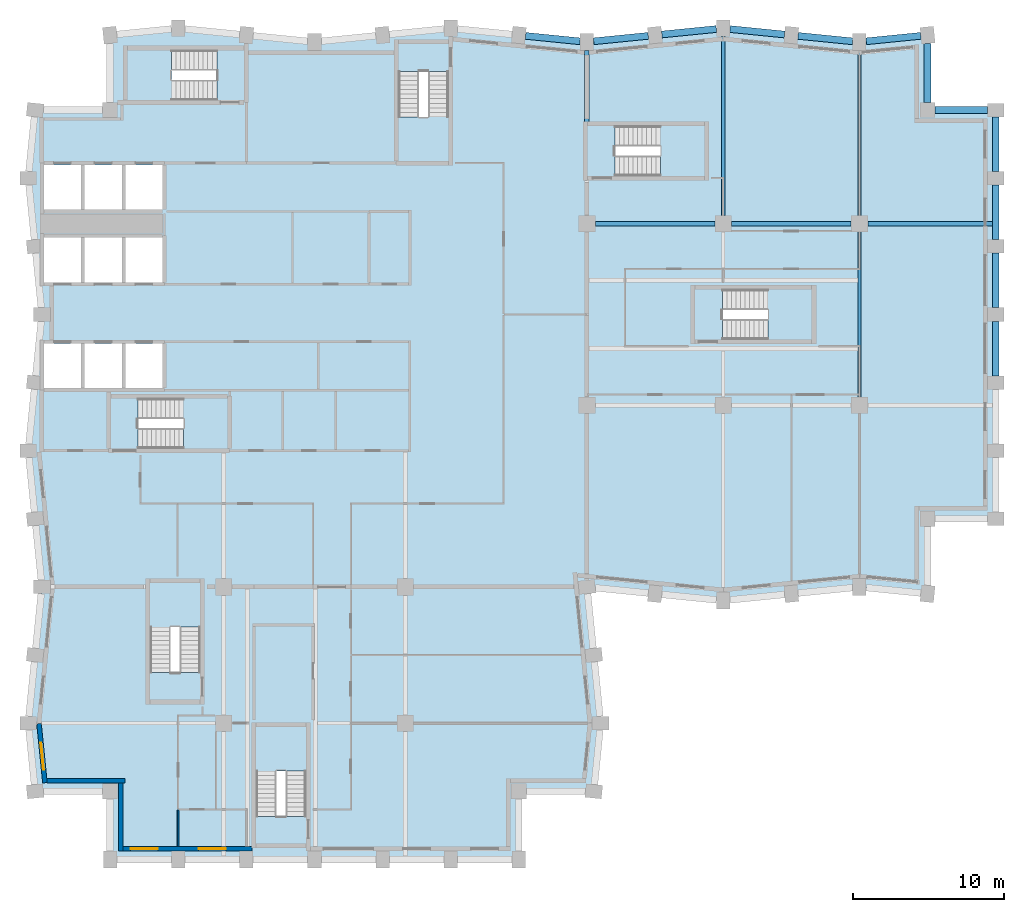
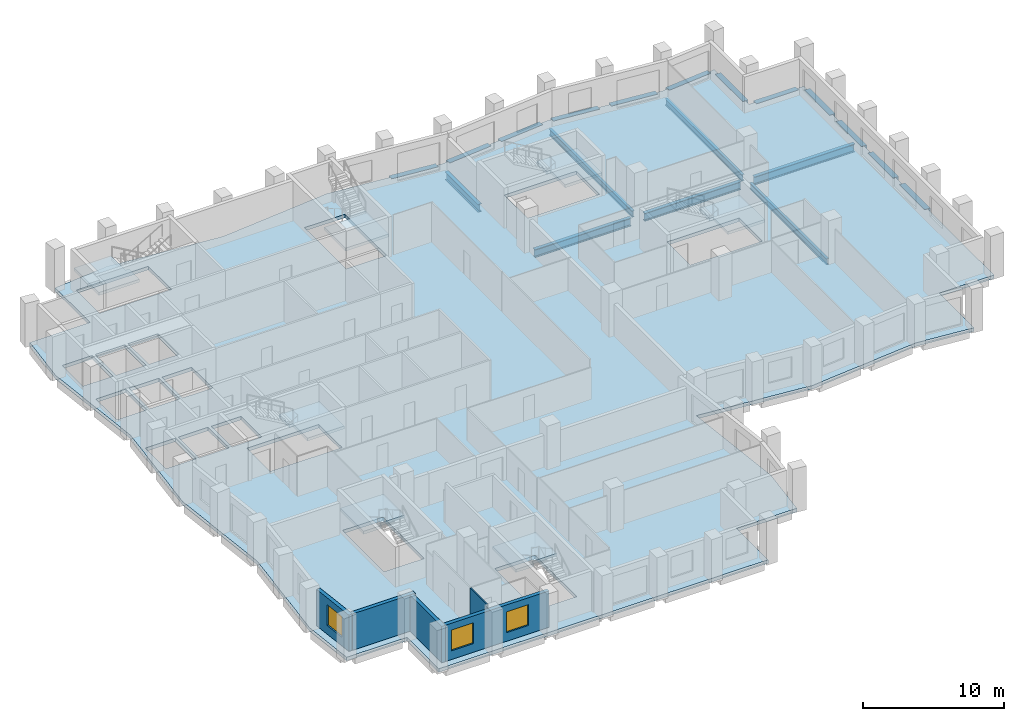
# One storey, part 2 of 10: 19 beams, 8 slabs, 5 walls, 3 windows, 3 openings, 7 elements without a shape of their own.
"""IFC4 building model written with IfcOpenShell, lengths in metres."""

import ifcopenshell
import ifcopenshell.guid

model = None  # the IFC model being written
_history = None  # IfcOwnerHistory: only IFC2X3 demands one
_inside = {}  # id of a spatial element -> (the spatial element, [elements in it])
_under = {}  # id of a project, library or spatial element -> (it, [spatial elements below it])
_declared = {}  # id of a project -> (the project, [libraries it declares])
_typed = {}  # id of a type object -> (the type object, [elements of that type])
_made_of = {}  # id of a material, layer set ... -> (it, [elements and type objects made of it])


def new_model(schema):
    """Start an empty IFC model of exactly this schema.

    Asked for "IFC4X3", IfcOpenShell would pick the latest addendum, in which some entities
    have other attributes; the version numbers below select the first issue.
    IFC2X3 requires an IfcOwnerHistory on every rooted entity: one is made here for all.
    """
    global model, _history
    if schema == "IFC4X3":
        model = ifcopenshell.file(schema_version=(4, 3, 0, 0))
    else:
        model = ifcopenshell.file(schema=schema)
    _inside.clear()
    _under.clear()
    _declared.clear()
    _typed.clear()
    _made_of.clear()
    _history = None
    if model.schema == "IFC2X3":
        org = make("IfcOrganization", Name="unknown")
        user = make(
            "IfcPersonAndOrganization",
            ThePerson=make("IfcPerson", FamilyName="unknown"),
            TheOrganization=org,
        )
        app = make(
            "IfcApplication",
            ApplicationDeveloper=org,
            Version="unknown",
            ApplicationFullName="unknown",
            ApplicationIdentifier="unknown",
        )
        _history = make(
            "IfcOwnerHistory",
            OwningUser=user,
            OwningApplication=app,
            ChangeAction="ADDED",
            CreationDate=0,
        )
    return model


def make(cls, **values):
    """One entity of the class cls with the attributes given. An attribute that is None is left unset."""
    return model.create_entity(
        cls, **{name: value for name, value in values.items() if value is not None}
    )


def rooted(cls, **values):
    """An entity with a GlobalId (a new one), such as an element, a storey or a relation."""
    return make(cls, GlobalId=ifcopenshell.guid.new(), OwnerHistory=_history, **values)


def si_unit(unit_type, name, prefix=None):
    """IfcSIUnit, for example si_unit("LENGTHUNIT", "METRE", prefix="MILLI")."""
    return make("IfcSIUnit", UnitType=unit_type, Prefix=prefix, Name=name)


def assignment(units):
    """IfcUnitAssignment: the units of a project."""
    return None if units is None else make("IfcUnitAssignment", Units=units)


def point(xyz):
    """IfcCartesianPoint."""
    return None if xyz is None else make("IfcCartesianPoint", Coordinates=xyz)


def direction(xyz):
    """IfcDirection."""
    return None if xyz is None else make("IfcDirection", DirectionRatios=xyz)


def frame(location, z_axis=None, x_axis=None):
    """IfcAxis2Placement3D, a coordinate frame: its origin and axes. An axis left out is left unset."""
    return make(
        "IfcAxis2Placement3D",
        Location=point(location),
        Axis=direction(z_axis),
        RefDirection=direction(x_axis),
    )


def frame_2d(location, x_axis=None):
    """IfcAxis2Placement2D, a coordinate frame in the plane: its origin and x axis."""
    return make(
        "IfcAxis2Placement2D", Location=point(location), RefDirection=direction(x_axis)
    )


def origin():
    """The frame at (0, 0, 0) with its axes left unset."""
    return frame((0.0, 0.0, 0.0))


def origin_2d():
    """The frame at (0, 0) in the plane with its x axis left unset."""
    return frame_2d((0.0, 0.0))


def place(relative_to, where):
    """IfcLocalPlacement: puts the frame where relative to a parent placement (None: the world)."""
    return make(
        "IfcLocalPlacement", PlacementRelTo=relative_to, RelativePlacement=where
    )


def context(
    kind, dimensions, precision=None, world=None, true_north=None, identifier=None
):
    """IfcGeometricRepresentationContext, for example the 3D "Model" context."""
    return make(
        "IfcGeometricRepresentationContext",
        ContextIdentifier=identifier,
        ContextType=kind,
        CoordinateSpaceDimension=dimensions,
        Precision=precision,
        WorldCoordinateSystem=world,
        TrueNorth=true_north,
    )


def subcontext(parent, identifier, kind, view, scale=None):
    """IfcGeometricRepresentationSubContext, for example "Body" below "Model"."""
    return make(
        "IfcGeometricRepresentationSubContext",
        ContextIdentifier=identifier,
        ContextType=kind,
        ParentContext=parent,
        TargetScale=scale,
        TargetView=view,
    )


def project(units=None, contexts=None):
    """IfcProject with its units and contexts."""
    return rooted(
        "IfcProject",
        Name="project",
        RepresentationContexts=contexts,
        UnitsInContext=assignment(units),
    )


def spatial(cls, under=None, at=None, **own):
    """A site, building, storey or space (cls), placed at a placement, below another one or the project."""
    s = rooted(cls, ObjectPlacement=at, **own)
    if under is not None:
        _under.setdefault(under.id(), (under, []))[1].append(s)
    return s


def polyline(points):
    """IfcPolyline through the points."""
    return make("IfcPolyline", Points=[point(p) for p in points])


def profile(cls, at=None, kind="AREA", **sizes):
    """A parametric profile (cls). Its sizes go by their IFC names, for example OverallWidth=200.0."""
    return make(cls, ProfileType=kind, Position=at, **sizes)


def rectangle(**sizes):
    """IfcRectangleProfileDef."""
    return profile("IfcRectangleProfileDef", **sizes)


def i_section(**sizes):
    """IfcIShapeProfileDef."""
    return profile("IfcIShapeProfileDef", **sizes)


def outline(outer, holes=None, kind="AREA"):
    """IfcArbitraryClosedProfileDef: a profile drawn as a closed curve; with holes, ...WithVoids."""
    if holes is None:
        return make("IfcArbitraryClosedProfileDef", ProfileType=kind, OuterCurve=outer)
    return make(
        "IfcArbitraryProfileDefWithVoids",
        ProfileType=kind,
        OuterCurve=outer,
        InnerCurves=holes,
    )


def extrude(swept, where, along, depth):
    """IfcExtrudedAreaSolid: the profile swept, set in the frame where, extruded along a direction by depth."""
    return make(
        "IfcExtrudedAreaSolid",
        SweptArea=swept,
        Position=where,
        ExtrudedDirection=direction(along),
        Depth=depth,
    )


def shape(context_of_items, identifier, shape_type, items):
    """IfcShapeRepresentation: the items that make up one representation, for example the "Body"."""
    return make(
        "IfcShapeRepresentation",
        ContextOfItems=context_of_items,
        RepresentationIdentifier=identifier,
        RepresentationType=shape_type,
        Items=items,
    )


def material(Name=None, Category=None):
    """IfcMaterial."""
    return make("IfcMaterial", Name=Name, Category=Category)


def layer(
    of_material, thickness, ventilated=None, Name=None, Category=None, Priority=None
):
    """IfcMaterialLayer: one layer of a wall or slab, of a material (None: an air gap)."""
    return make(
        "IfcMaterialLayer",
        Material=of_material,
        LayerThickness=thickness,
        IsVentilated=ventilated,
        Name=Name,
        Category=Category,
        Priority=Priority,
    )


def layer_set(layers, Name=None):
    """IfcMaterialLayerSet."""
    return make("IfcMaterialLayerSet", MaterialLayers=layers, LayerSetName=Name)


def material_profile(
    of_material, cross_section, Name=None, Category=None, Priority=None
):
    """IfcMaterialProfile: a cross section and its material."""
    return make(
        "IfcMaterialProfile",
        Name=Name,
        Material=of_material,
        Profile=cross_section,
        Priority=Priority,
        Category=Category,
    )


def profile_set(profiles, Name=None, composite=None):
    """IfcMaterialProfileSet."""
    return make(
        "IfcMaterialProfileSet",
        Name=Name,
        MaterialProfiles=profiles,
        CompositeProfile=composite,
    )


def made_of(thing, what):
    """Note that an element or type object is made of a material, layer set ...; save() writes the relation."""
    if what is not None:
        _made_of.setdefault(what.id(), (what, []))[1].append(thing)
    return thing


def type_object(cls, material=None, **own):
    """A type object (cls), such as IfcWallType, which elements share."""
    return made_of(rooted(cls, **own), material)


def element(
    cls,
    number,
    at=None,
    inside=None,
    cuts=None,
    type_object=None,
    material=None,
    context=None,
    identifier="Body",
    shape_type=None,
    held_by="IfcProductDefinitionShape",
    body=None,
    shapes=None,
    **own,
):
    """One element of the class cls, such as IfcWall. Its Tag is "e" and its number.

    at: its placement. inside: the storey or other place that contains it. cuts: it is an
    opening in that element (IfcRelVoidsElement). A single representation is given by context,
    identifier, shape_type and body (its items); several are given by shapes. held_by: the class
    of the entity that holds the representations. save() writes the other relations.
    """
    e = rooted(cls, Tag="e%d" % number, ObjectPlacement=at, **own)
    if body is not None:
        shapes = [shape(context, identifier, shape_type, body)]
    if shapes is not None:
        e.Representation = make(held_by, Representations=shapes)
    if inside is not None:
        _inside.setdefault(inside.id(), (inside, []))[1].append(e)
    if cuts is not None:
        rooted(
            "IfcRelVoidsElement", RelatingBuildingElement=cuts, RelatedOpeningElement=e
        )
    if type_object is not None:
        _typed.setdefault(type_object.id(), (type_object, []))[1].append(e)
    return made_of(e, material)


def fill(opening, filler):
    """IfcRelFillsElement: the door or window that sits in an opening."""
    return rooted(
        "IfcRelFillsElement",
        RelatingOpeningElement=opening,
        RelatedBuildingElement=filler,
    )


def aggregate(whole, parts):
    """IfcRelAggregates: a whole, such as a stair, and the parts it consists of."""
    return rooted("IfcRelAggregates", RelatingObject=whole, RelatedObjects=parts)


def save(model, path):
    """Write the relations noted so far, then the file.

    IfcRelAggregates (storeys below a building ...), IfcRelContainedInSpatialStructure (elements
    in a storey), IfcRelDefinesByType, IfcRelAssociatesMaterial and IfcRelDeclares: one each for
    every whole, place, type object, material and project.
    """
    for whole, parts in _under.values():
        aggregate(whole, parts)
    for where, things in _inside.values():
        rooted(
            "IfcRelContainedInSpatialStructure",
            RelatedElements=things,
            RelatingStructure=where,
        )
    for kind, things in _typed.values():
        rooted("IfcRelDefinesByType", RelatedObjects=things, RelatingType=kind)
    for what, things in _made_of.values():
        rooted("IfcRelAssociatesMaterial", RelatedObjects=things, RelatingMaterial=what)
    for by, libraries in _declared.values():
        rooted("IfcRelDeclares", RelatingContext=by, RelatedDefinitions=libraries)
    model.write(path)


model = new_model("IFC4")

# Units and contexts
model_context = context("Model", 3, precision=1e-05, world=origin(), true_north=direction((0.0, 1.0)))
body_context = subcontext(model_context, "Body", "Model", "MODEL_VIEW")
ifc_project = project(units=[si_unit("LENGTHUNIT", "METRE"), si_unit("AREAUNIT", "SQUARE_METRE"), si_unit("VOLUMEUNIT", "CUBIC_METRE"), si_unit("PLANEANGLEUNIT", "RADIAN"), si_unit("MASSUNIT", "GRAM", prefix="KILO")], contexts=[model_context])

# Site, building, storey
site_placement = place(None, origin())
site = spatial("IfcSite", under=ifc_project, at=site_placement, CompositionType="ELEMENT")
building_placement = place(site_placement, origin())
building = spatial("IfcBuilding", under=site, at=building_placement, Name="Brondeck Convention Tower", CompositionType="ELEMENT")
storey_placement = place(building_placement, frame((0.0, 0.0, 154.800048828125)))
storey = spatial("IfcBuildingStorey", under=building, at=storey_placement, Name="L37", CompositionType="ELEMENT", Elevation=154.800048828125)

# Beams
ifc_material_1 = material(Name="Steel S355", Category="steel")
ifc_material_profile_1 = material_profile(ifc_material_1, i_section(OverallWidth=0.2099609375, OverallDepth=0.550048828125, WebThickness=0.010986328125, FlangeThickness=0.01708984375, FilletRadius=0.02392578125, at=origin_2d()), Name="IPE 550")
ifc_profile_set_1 = profile_set([ifc_material_profile_1], Name="Steel S355")
beam_type_1 = type_object("IfcBeamType", Name="Floor beam IPE 550", PredefinedType="BEAM", material=ifc_profile_set_1)
beam_1_placement = place(storey_placement, frame((45.0, 51.550048828125, -0.574951171875), z_axis=(0.0, 1.0, 0.0), x_axis=(-1.0, 0.0, 0.0)))
element("IfcBeam", 1, at=beam_1_placement, inside=storey, type_object=beam_type_1, Name="STR-FB-L37-002", PredefinedType="BEAM", context=body_context, shape_type="SweptSolid", body=[
    extrude(i_section(OverallWidth=0.2099609375, OverallDepth=0.550048828125, WebThickness=0.010986328125, FlangeThickness=0.01708984375, FilletRadius=0.02392578125, at=origin_2d()), origin(), (0.0, 0.0, 1.0), 11.800048828125),
])
for number, where, z_axis, x_axis, name in (
    (2, (54.0, 39.550048828125, -0.574951171875), (0.0, 1.0, 0.0), (-1.0, 0.0, 0.0), "STR-FB-L37-004"),
    (3, (54.0, 51.550048828125, -0.574951171875), (0.0, 1.0, 0.0), (-1.0, 0.0, 0.0), "STR-FB-L37-005"),
):
    element("IfcBeam", number, at=place(storey_placement, frame(where, z_axis=z_axis, x_axis=x_axis)), inside=storey, type_object=beam_type_1, Name=name, PredefinedType="BEAM", context=body_context, shape_type="SweptSolid", body=[
        extrude(i_section(OverallWidth=0.2099609375, OverallDepth=0.550048828125, WebThickness=0.010986328125, FlangeThickness=0.01708984375, FilletRadius=0.02392578125, at=origin_2d()), origin(), (0.0, 0.0, 1.0), 10.89990234375),
    ])
ifc_material_profile_2 = material_profile(ifc_material_1, i_section(OverallWidth=0.300048828125, OverallDepth=0.699951171875, WebThickness=0.01708984375, FlangeThickness=0.031982421875, FilletRadius=0.027099609375, at=origin_2d()), Name="HEB 700")
ifc_profile_set_2 = profile_set([ifc_material_profile_2], Name="Steel S355")
beam_type_2 = type_object("IfcBeamType", Name="Girder HEB 700", PredefinedType="BEAM", material=ifc_profile_set_2)
for number, where, z_axis, x_axis, name in (
    (4, (36.550048828125, 51.0, -0.650146484375), (1.0, 0.0, 0.0), (0.0, 1.0, 0.0), "STR-GR-L37-004"),
    (5, (45.550048828125, 51.0, -0.650146484375), (1.0, 0.0, 0.0), (0.0, 1.0, 0.0), "STR-GR-L37-005"),
):
    element("IfcBeam", number, at=place(storey_placement, frame(where, z_axis=z_axis, x_axis=x_axis)), inside=storey, type_object=beam_type_2, Name=name, PredefinedType="BEAM", context=body_context, shape_type="SweptSolid", body=[
        extrude(i_section(OverallWidth=0.300048828125, OverallDepth=0.699951171875, WebThickness=0.01708984375, FlangeThickness=0.031982421875, FilletRadius=0.027099609375, at=origin_2d()), origin(), (0.0, 0.0, 1.0), 7.89990234375),
    ])
beam_2_placement = place(storey_placement, frame((54.550048828125, 51.0, -0.650146484375), z_axis=(1.0, 0.0, 0.0), x_axis=(0.0, 1.0, 0.0)))
element("IfcBeam", 6, at=beam_2_placement, inside=storey, type_object=beam_type_2, Name="STR-GR-L37-006", PredefinedType="BEAM", context=body_context, shape_type="SweptSolid", body=[
    extrude(i_section(OverallWidth=0.300048828125, OverallDepth=0.699951171875, WebThickness=0.01708984375, FlangeThickness=0.031982421875, FilletRadius=0.027099609375, at=origin_2d()), origin(), (0.0, 0.0, 1.0), 8.224853515625),
])
beam_3_placement = place(storey_placement, frame((36.0, 57.719970703125, -0.650146484375), z_axis=(0.0, 1.0, 0.0), x_axis=(-1.0, 0.0, 0.0)))
element("IfcBeam", 7, at=beam_3_placement, inside=storey, type_object=beam_type_2, Name="STR-GR-L37-010", PredefinedType="BEAM", context=body_context, shape_type="SweptSolid", body=[
    extrude(i_section(OverallWidth=0.300048828125, OverallDepth=0.699951171875, WebThickness=0.01708984375, FlangeThickness=0.031982421875, FilletRadius=0.027099609375, at=origin_2d()), origin(), (0.0, 0.0, 1.0), 4.72998046875),
])
ifc_material_2 = material(Name="Concrete C70/85", Category="concrete")
ifc_material_profile_3 = material_profile(ifc_material_2, rectangle(XDim=0.449951171875, YDim=0.64990234375, at=origin_2d()), Name="Precast spandrel 450x650 Concrete C70/85")
ifc_profile_set_3 = profile_set([ifc_material_profile_3], Name="Concrete C70/85")
beam_type_3 = type_object("IfcBeamType", Name="Precast spandrel 450x650 Concrete C70/85", PredefinedType="SPANDREL", material=ifc_profile_set_3)
for number, where, z_axis, x_axis, name in (
    (8, (63.0, 40.949951171875, -0.324951171875), (0.0, 1.0, 0.0), (-1.0, 0.0, 0.0), "STR-SP-L37-021"),
    (9, (63.0, 45.449951171875, -0.324951171875), (0.0, 1.0, 0.0), (-1.0, 0.0, 0.0), "STR-SP-L37-022"),
    (10, (63.0, 49.949951171875, -0.324951171875), (0.0, 1.0, 0.0), (-1.0, 0.0, 0.0), "STR-SP-L37-023"),
    (11, (63.0, 54.449951171875, -0.324951171875), (0.0, 1.0, 0.0), (-1.0, 0.0, 0.0), "STR-SP-L37-024"),
):
    element("IfcBeam", number, at=place(storey_placement, frame(where, z_axis=z_axis, x_axis=x_axis)), inside=storey, type_object=beam_type_3, Name=name, PredefinedType="SPANDREL", context=body_context, shape_type="SweptSolid", body=[
        extrude(rectangle(XDim=0.449951171875, YDim=0.64990234375, at=origin_2d()), origin(), (0.0, 0.0, 1.0), 3.60009765625),
    ])
beam_4_placement = place(storey_placement, frame((62.449951171875, 58.5, -0.324951171875), z_axis=(-1.0, 0.0, 0.0), x_axis=(0.0, -1.0, 0.0)))
element("IfcBeam", 12, at=beam_4_placement, inside=storey, type_object=beam_type_3, Name="STR-SP-L37-025", PredefinedType="SPANDREL", context=body_context, shape_type="SweptSolid", body=[
    extrude(rectangle(XDim=0.449951171875, YDim=0.64990234375, at=origin_2d()), origin(), (0.0, 0.0, 1.0), 3.449951171875),
])
beam_5_placement = place(storey_placement, frame((58.5, 59.0, -0.324951171875), z_axis=(0.0, 1.0, 0.0), x_axis=(-1.0, 0.0, 0.0)))
element("IfcBeam", 13, at=beam_5_placement, inside=storey, type_object=beam_type_3, Name="STR-SP-L37-026", PredefinedType="SPANDREL", context=body_context, shape_type="SweptSolid", body=[
    extrude(rectangle(XDim=0.449951171875, YDim=0.64990234375, at=origin_2d()), origin(), (0.0, 0.0, 1.0), 3.897216796875),
])
for number, where, z_axis, x_axis, name in (
    (14, (58.05224609375, 63.4052734375, -0.324951171875), (-0.995033851182, -0.099537103649, 0.0), (0.099537103649, -0.995033851182, 0.0), "STR-SP-L37-027"),
    (15, (53.550048828125, 63.044921875, -0.324951171875), (-0.995033851182, 0.099537103649, 0.0), (-0.099537103649, -0.995033851182, 0.0), "STR-SP-L37-028"),
    (16, (49.05224609375, 63.494873046875, -0.324951171875), (-0.995040528141, 0.099470334057, 0.0), (-0.099470334057, -0.995040528141, 0.0), "STR-SP-L37-029"),
    (17, (44.550048828125, 63.85498046875, -0.324951171875), (-0.995040528141, -0.099470334057, 0.0), (0.099470334057, -0.995040528141, 0.0), "STR-SP-L37-030"),
    (18, (40.05224609375, 63.4052734375, -0.324951171875), (-0.995033851182, -0.099537103649, 0.0), (0.099537103649, -0.995033851182, 0.0), "STR-SP-L37-031"),
    (19, (35.550048828125, 63.044921875, -0.324951171875), (-0.995033851182, 0.099537103649, 0.0), (-0.099537103649, -0.995033851182, 0.0), "STR-SP-L37-032"),
):
    element("IfcBeam", number, at=place(storey_placement, frame(where, z_axis=z_axis, x_axis=x_axis)), inside=storey, type_object=beam_type_3, Name=name, PredefinedType="SPANDREL", context=body_context, shape_type="SweptSolid", body=[
        extrude(rectangle(XDim=0.449951171875, YDim=0.64990234375, at=origin_2d()), origin(), (0.0, 0.0, 1.0), 3.620361328125),
    ])

# Slab
ifc_material_3 = material(Name="Concrete C35/45", Category="concrete")
ifc_layer_1 = layer(ifc_material_3, 0.300048828125)
ifc_layer_set_1 = layer_set([ifc_layer_1], Name="Composite floor slab 300")
slab_type_1 = type_object("IfcSlabType", Name="Composite floor slab 300", PredefinedType="FLOOR", material=ifc_layer_set_1)
slab_1_placement = place(storey_placement, frame((0.0, 0.0, -0.300048828125)))
element("IfcSlab", 20, at=slab_1_placement, inside=storey, type_object=slab_type_1, Name="STR-SL-L37", PredefinedType="FLOOR", context=body_context, shape_type="SweptSolid", body=[
    extrude(outline(polyline([(4.5, 13.5), (-0.449951171875, 13.5), (-0.89990234375, 18.0), (0.0, 27.0), (-0.89990234375, 36.0), (0.0, 45.0), (-0.89990234375, 54.0), (-0.449951171875, 58.5), (4.5, 58.5), (4.5, 63.449951171875), (9.0, 63.89990234375), (18.0, 63.0), (27.0, 63.89990234375), (36.0, 63.0), (45.0, 63.89990234375), (54.0, 63.0), (58.5, 63.449951171875), (58.5, 58.5), (63.0, 58.5), (63.0, 31.5), (58.5, 31.5), (58.5, 26.550048828125), (54.0, 27.0), (45.0, 26.10009765625), (36.0, 27.0), (36.89990234375, 18.0), (36.449951171875, 13.5), (31.5, 13.5), (31.5, 9.0), (4.5, 9.0), (4.5, 13.5)]), holes=[polyline([(2.574951171875, 40.125), (2.574951171875, 43.074951171875), (0.125, 43.074951171875), (0.125, 40.125), (2.574951171875, 40.125)]), polyline([(5.27490234375, 40.125), (5.27490234375, 43.074951171875), (2.824951171875, 43.074951171875), (2.824951171875, 40.125), (5.27490234375, 40.125)]), polyline([(7.97509765625, 40.125), (7.97509765625, 43.074951171875), (5.52490234375, 43.074951171875), (5.52490234375, 40.125), (7.97509765625, 40.125)]), polyline([(2.574951171875, 47.125), (2.574951171875, 50.074951171875), (0.125, 50.074951171875), (0.125, 47.125), (2.574951171875, 47.125)]), polyline([(5.27490234375, 47.125), (5.27490234375, 50.074951171875), (2.824951171875, 50.074951171875), (2.824951171875, 47.125), (5.27490234375, 47.125)]), polyline([(7.97509765625, 47.125), (7.97509765625, 50.074951171875), (5.52490234375, 50.074951171875), (5.52490234375, 47.125), (7.97509765625, 47.125)]), polyline([(2.574951171875, 51.925048828125), (2.574951171875, 54.875), (0.125, 54.875), (0.125, 51.925048828125), (2.574951171875, 51.925048828125)]), polyline([(5.27490234375, 51.925048828125), (5.27490234375, 54.875), (2.824951171875, 54.875), (2.824951171875, 51.925048828125), (5.27490234375, 51.925048828125)]), polyline([(17.447998046875, 17.748046875), (14.152099609375, 17.748046875), (14.152099609375, 11.85205078125), (17.447998046875, 11.85205078125), (17.447998046875, 17.748046875)]), polyline([(10.447998046875, 27.248046875), (7.152099609375, 27.248046875), (7.152099609375, 21.35205078125), (10.447998046875, 21.35205078125), (10.447998046875, 27.248046875)]), polyline([(12.248046875, 36.152099609375), (12.248046875, 39.447998046875), (6.35205078125, 39.447998046875), (6.35205078125, 36.152099609375), (12.248046875, 36.152099609375)]), polyline([(50.847900390625, 43.35205078125), (50.847900390625, 46.64794921875), (44.951904296875, 46.64794921875), (44.951904296875, 43.35205078125), (50.847900390625, 43.35205078125)]), polyline([(7.97509765625, 51.925048828125), (7.97509765625, 54.875), (5.52490234375, 54.875), (5.52490234375, 51.925048828125), (7.97509765625, 51.925048828125)]), polyline([(43.748046875, 54.152099609375), (43.748046875, 57.447998046875), (37.85205078125, 57.447998046875), (37.85205078125, 54.152099609375), (43.748046875, 54.152099609375)]), polyline([(23.552001953125, 55.152099609375), (26.847900390625, 55.152099609375), (26.847900390625, 61.048095703125), (23.552001953125, 61.048095703125), (23.552001953125, 55.152099609375)]), polyline([(5.652099609375, 62.447998046875), (5.652099609375, 59.152099609375), (11.548095703125, 59.152099609375), (11.548095703125, 62.447998046875), (5.652099609375, 62.447998046875)])]), origin(), (0.0, 0.0, 1.0), 0.300048828125),
])

# Stair, slab
ifc_material_4 = material(Name="Precast concrete C50/60", Category="concrete")
stair_type = type_object("IfcStairType", Name="Core stair 22 risers 172.73 mm riser 300 mm going 1350 wide", PredefinedType="HALF_TURN_STAIR", material=ifc_material_4)
stair_1_placement = place(storey_placement, origin())
stair_1 = element("IfcStair", 21, at=stair_1_placement, inside=storey, type_object=stair_type, Name="ST-1 L37 stair", PredefinedType="HALF_TURN_STAIR")
ifc_layer_2 = layer(ifc_material_4, 0.25)
ifc_layer_set_2 = layer_set([ifc_layer_2], Name="Core stair landing 250 Precast concrete C50/60")
slab_type_2 = type_object("IfcSlabType", Name="Core stair landing 250 Precast concrete C50/60", PredefinedType="LANDING", material=ifc_layer_set_2)
slab_2_placement = place(storey_placement, frame((0.0, 0.0, 1.64990234375)))
slab_2 = element("IfcSlab", 22, at=slab_2_placement, type_object=slab_type_2, Name="ST-1 landing 1", PredefinedType="LANDING", context=body_context, shape_type="SweptSolid", body=[
    extrude(outline(polyline([(9.347900390625, 37.5), (9.35009765625, 37.5), (9.35009765625, 38.10009765625), (9.050048828125, 38.10009765625), (9.050048828125, 39.570068359375), (12.3701171875, 39.570068359375), (12.3701171875, 36.030029296875), (9.347900390625, 36.030029296875), (9.347900390625, 37.5)])), origin(), (0.0, 0.0, 1.0), 0.25),
])
aggregate(stair_1, [slab_2])

stair_2_placement = place(storey_placement, origin())
stair_2 = element("IfcStair", 23, at=stair_2_placement, inside=storey, type_object=stair_type, Name="ST-2 L37 stair", PredefinedType="HALF_TURN_STAIR")
slab_3_placement = place(storey_placement, frame((0.0, 0.0, 1.64990234375)))
slab_3 = element("IfcSlab", 24, at=slab_3_placement, type_object=slab_type_2, Name="ST-2 landing 1", PredefinedType="LANDING", context=body_context, shape_type="SweptSolid", body=[
    extrude(outline(polyline([(23.429931640625, 58.052001953125), (24.89990234375, 58.052001953125), (24.89990234375, 58.050048828125), (25.5, 58.050048828125), (25.5, 58.35009765625), (26.969970703125, 58.35009765625), (26.969970703125, 55.030029296875), (23.429931640625, 55.030029296875), (23.429931640625, 58.052001953125)])), origin(), (0.0, 0.0, 1.0), 0.25),
])
aggregate(stair_2, [slab_3])

stair_3_placement = place(storey_placement, origin())
stair_3 = element("IfcStair", 25, at=stair_3_placement, inside=storey, type_object=stair_type, Name="ST-3 L37 stair", PredefinedType="HALF_TURN_STAIR")
slab_4_placement = place(storey_placement, frame((0.0, 0.0, 1.64990234375)))
slab_4 = element("IfcSlab", 26, at=slab_4_placement, type_object=slab_type_2, Name="ST-3 landing 1", PredefinedType="LANDING", context=body_context, shape_type="SweptSolid", body=[
    extrude(outline(polyline([(8.85009765625, 60.5), (8.85009765625, 59.030029296875), (5.530029296875, 59.030029296875), (5.530029296875, 62.570068359375), (8.552001953125, 62.570068359375), (8.552001953125, 61.10009765625), (8.550048828125, 61.10009765625), (8.550048828125, 60.5), (8.85009765625, 60.5)])), origin(), (0.0, 0.0, 1.0), 0.25),
])
aggregate(stair_3, [slab_4])

stair_4_placement = place(storey_placement, origin())
stair_4 = element("IfcStair", 27, at=stair_4_placement, inside=storey, type_object=stair_type, Name="ST-AE L37 stair", PredefinedType="HALF_TURN_STAIR")
slab_5_placement = place(storey_placement, frame((0.0, 0.0, 1.64990234375)))
slab_5 = element("IfcSlab", 28, at=slab_5_placement, type_object=slab_type_2, Name="ST-AE landing 1", PredefinedType="LANDING", context=body_context, shape_type="SweptSolid", body=[
    extrude(outline(polyline([(40.847900390625, 55.5), (40.85009765625, 55.5), (40.85009765625, 56.10009765625), (40.550048828125, 56.10009765625), (40.550048828125, 57.570068359375), (43.8701171875, 57.570068359375), (43.8701171875, 54.030029296875), (40.847900390625, 54.030029296875), (40.847900390625, 55.5)])), origin(), (0.0, 0.0, 1.0), 0.25),
])
aggregate(stair_4, [slab_5])

stair_5_placement = place(storey_placement, origin())
stair_5 = element("IfcStair", 29, at=stair_5_placement, inside=storey, type_object=stair_type, Name="ST-BE L37 stair", PredefinedType="HALF_TURN_STAIR")
slab_6_placement = place(storey_placement, frame((0.0, 0.0, 1.64990234375)))
slab_6 = element("IfcSlab", 30, at=slab_6_placement, type_object=slab_type_2, Name="ST-BE landing 1", PredefinedType="LANDING", context=body_context, shape_type="SweptSolid", body=[
    extrude(outline(polyline([(7.030029296875, 24.050048828125), (7.030029296875, 27.3701171875), (10.570068359375, 27.3701171875), (10.570068359375, 24.347900390625), (9.10009765625, 24.347900390625), (9.10009765625, 24.35009765625), (8.5, 24.35009765625), (8.5, 24.050048828125), (7.030029296875, 24.050048828125)])), origin(), (0.0, 0.0, 1.0), 0.25),
])
aggregate(stair_5, [slab_6])

stair_6_placement = place(storey_placement, origin())
stair_6 = element("IfcStair", 31, at=stair_6_placement, inside=storey, type_object=stair_type, Name="ST-AF L37 stair", PredefinedType="HALF_TURN_STAIR")
slab_7_placement = place(storey_placement, frame((0.0, 0.0, 1.64990234375)))
slab_7 = element("IfcSlab", 32, at=slab_7_placement, type_object=slab_type_2, Name="ST-AF landing 1", PredefinedType="LANDING", context=body_context, shape_type="SweptSolid", body=[
    extrude(outline(polyline([(47.947998046875, 44.699951171875), (47.949951171875, 44.699951171875), (47.949951171875, 45.300048828125), (47.64990234375, 45.300048828125), (47.64990234375, 46.77001953125), (50.969970703125, 46.77001953125), (50.969970703125, 43.22998046875), (47.947998046875, 43.22998046875), (47.947998046875, 44.699951171875)])), origin(), (0.0, 0.0, 1.0), 0.25),
])
aggregate(stair_6, [slab_7])

stair_7_placement = place(storey_placement, origin())
stair_7 = element("IfcStair", 33, at=stair_7_placement, inside=storey, type_object=stair_type, Name="ST-BF L37 stair", PredefinedType="HALF_TURN_STAIR")
slab_8_placement = place(storey_placement, frame((0.0, 0.0, 1.64990234375)))
slab_8 = element("IfcSlab", 34, at=slab_8_placement, type_object=slab_type_2, Name="ST-BF landing 1", PredefinedType="LANDING", context=body_context, shape_type="SweptSolid", body=[
    extrude(outline(polyline([(14.030029296875, 14.550048828125), (14.030029296875, 17.8701171875), (17.570068359375, 17.8701171875), (17.570068359375, 14.847900390625), (16.10009765625, 14.847900390625), (16.10009765625, 14.85009765625), (15.5, 14.85009765625), (15.5, 14.550048828125), (14.030029296875, 14.550048828125)])), origin(), (0.0, 0.0, 1.0), 0.25),
])
aggregate(stair_7, [slab_8])

# Wall, openings, windows
ifc_material_5 = material(Name="Precast concrete C50/60 bronze finish", Category="concrete")
ifc_layer_3 = layer(ifc_material_5, 0.070068359375, Name="Bronze precast facing")
ifc_material_6 = material(Name="Mineral wool")
ifc_layer_4 = layer(ifc_material_6, 0.159912109375, Name="Insulation")
ifc_layer_5 = layer(ifc_material_3, 0.070068359375, Name="Backing")
ifc_layer_set_3 = layer_set([ifc_layer_3, ifc_layer_4, ifc_layer_5], Name="External infill wall, precast concrete C50/60 bronze facing")
wall_type_1 = type_object("IfcWallType", Name="External infill wall, precast concrete C50/60 bronze facing", PredefinedType="SOLIDWALL", material=ifc_layer_set_3)
wall_1_placement = place(storey_placement, frame((13.860107421875, 9.699951171875, 0.0), z_axis=(0.0, 0.0, 1.0), x_axis=(-1.0, 0.0, 0.0)))
wall_1 = element("IfcWall", 35, at=wall_1_placement, inside=storey, type_object=wall_type_1, Name="ENV-EW-L37-P1-B-S9-01", PredefinedType="SOLIDWALL", context=body_context, shape_type="SweptSolid", body=[
    extrude(rectangle(XDim=8.510009765625, YDim=0.300048828125, at=frame_2d((4.2548828125, 0.0))), origin(), (0.0, 0.0, 1.0), 3.14990234375),
])
opening_1_placement = place(wall_1_placement, frame((1.7099609375, 0.0, 0.75)))
opening_1 = element("IfcOpeningElement", 36, at=opening_1_placement, cuts=wall_1, Name="Opening W10", PredefinedType="OPENING", context=body_context, shape_type="SweptSolid", body=[
    extrude(rectangle(XDim=1.800048828125, YDim=1.800048828125, at=frame_2d((0.89990234375, 0.89990234375))), frame((0.0, 0.159912109375, 0.0), z_axis=(0.0, -1.0, 0.0), x_axis=(1.0, 0.0, 0.0)), (0.0, 0.0, 1.0), 0.320068359375),
])
opening_2_placement = place(wall_1_placement, frame((6.2099609375, 0.0, 0.75)))
opening_2 = element("IfcOpeningElement", 37, at=opening_2_placement, cuts=wall_1, Name="Opening W10", PredefinedType="OPENING", context=body_context, shape_type="SweptSolid", body=[
    extrude(rectangle(XDim=1.800048828125, YDim=1.800048828125, at=frame_2d((0.89990234375, 0.89990234375))), frame((0.0, 0.159912109375, 0.0), z_axis=(0.0, -1.0, 0.0), x_axis=(1.0, 0.0, 0.0)), (0.0, 0.0, 1.0), 0.320068359375),
])
ifc_material_7 = material(Name="Bronze tinted double glazing", Category="glass")
window_type = type_object("IfcWindowType", Name="Punched window, bronze tinted", PartitioningType="SINGLE_PANEL", PredefinedType="WINDOW", material=ifc_material_7)
window_1_placement = place(opening_1_placement, origin())
window_1 = element("IfcWindow", 38, at=window_1_placement, inside=storey, type_object=window_type, Name="ENV-WN-L37-P1-B-S9-02", OverallHeight=1.800048828125, OverallWidth=1.800048828125, PartitioningType="SINGLE_PANEL", PredefinedType="WINDOW", context=body_context, shape_type="SweptSolid", body=[
    extrude(rectangle(XDim=1.800048828125, YDim=1.800048828125, at=frame_2d((0.89990234375, 0.89990234375))), frame((0.0, 0.030029296875, 0.0), z_axis=(0.0, -1.0, 0.0), x_axis=(1.0, 0.0, 0.0)), (0.0, 0.0, 1.0), 0.06005859375),
])
fill(opening_1, window_1)
window_2_placement = place(opening_2_placement, origin())
window_2 = element("IfcWindow", 39, at=window_2_placement, inside=storey, type_object=window_type, Name="ENV-WN-L37-P1-B-S9-01", OverallHeight=1.800048828125, OverallWidth=1.800048828125, PartitioningType="SINGLE_PANEL", PredefinedType="WINDOW", context=body_context, shape_type="SweptSolid", body=[
    extrude(rectangle(XDim=1.800048828125, YDim=1.800048828125, at=frame_2d((0.89990234375, 0.89990234375))), frame((0.0, 0.030029296875, 0.0), z_axis=(0.0, -1.0, 0.0), x_axis=(1.0, 0.0, 0.0)), (0.0, 0.0, 1.0), 0.06005859375),
])
fill(opening_2, window_2)

# Wall, opening, window
wall_2_placement = place(storey_placement, frame((0.197021484375, 14.06494140625, 0.0), z_axis=(0.0, 0.0, 1.0), x_axis=(-0.099528354722, 0.995034726332, 0.0)))
wall_2 = element("IfcWall", 40, at=wall_2_placement, inside=storey, type_object=wall_type_1, Name="ENV-EW-L37-P1-B-W-10", PredefinedType="SOLIDWALL", context=body_context, shape_type="SweptSolid", body=[
    extrude(rectangle(XDim=3.9248046875, YDim=0.300048828125, at=frame_2d((1.96240234375, 0.0))), origin(), (0.0, 0.0, 1.0), 3.14990234375),
])
opening_3_placement = place(wall_2_placement, frame((0.863525390625, 0.0, 0.75)))
opening_3 = element("IfcOpeningElement", 41, at=opening_3_placement, cuts=wall_2, Name="Opening W10", PredefinedType="OPENING", context=body_context, shape_type="SweptSolid", body=[
    extrude(rectangle(XDim=1.800048828125, YDim=1.800048828125, at=frame_2d((0.89990234375, 0.89990234375))), frame((0.0, 0.159912109375, 0.0), z_axis=(0.0, -1.0, 0.0), x_axis=(1.0, 0.0, 0.0)), (0.0, 0.0, 1.0), 0.320068359375),
])
window_3_placement = place(opening_3_placement, origin())
window_3 = element("IfcWindow", 42, at=window_3_placement, inside=storey, type_object=window_type, Name="ENV-WN-L37-P1-B-W-10", OverallHeight=1.800048828125, OverallWidth=1.800048828125, PartitioningType="SINGLE_PANEL", PredefinedType="WINDOW", context=body_context, shape_type="SweptSolid", body=[
    extrude(rectangle(XDim=1.800048828125, YDim=1.800048828125, at=frame_2d((0.89990234375, 0.89990234375))), frame((0.0, 0.030029296875, 0.0), z_axis=(0.0, -1.0, 0.0), x_axis=(1.0, 0.0, 0.0)), (0.0, 0.0, 1.0), 0.06005859375),
])
fill(opening_3, window_3)

# Walls
wall_3_placement = place(storey_placement, frame((5.5, 14.199951171875, 0.0), z_axis=(0.0, 0.0, 1.0), x_axis=(-1.0, 0.0, 0.0)))
element("IfcWall", 43, at=wall_3_placement, inside=storey, type_object=wall_type_1, Name="ENV-EW-L37-P1-NC-SWB9-01", PredefinedType="SOLIDWALL", context=body_context, shape_type="SweptSolid", body=[
    extrude(rectangle(XDim=5.16455078125, YDim=0.300048828125, at=frame_2d((2.582275390625, 0.0))), origin(), (0.0, 0.0, 1.0), 3.14990234375),
])
wall_4_placement = place(storey_placement, frame((5.199951171875, 9.550048828125, 0.0), z_axis=(0.0, 0.0, 1.0), x_axis=(0.0, 1.0, 0.0)))
element("IfcWall", 44, at=wall_4_placement, inside=storey, type_object=wall_type_1, Name="ENV-EW-L37-P1-NC-SWB9-02", PredefinedType="SOLIDWALL", context=body_context, shape_type="SweptSolid", body=[
    extrude(rectangle(XDim=4.501953125, YDim=0.300048828125, at=frame_2d((2.2509765625, 0.0))), origin(), (0.0, 0.0, 1.0), 3.14990234375),
])
ifc_material_8 = material(Name="Gypsum board partition on steel studs", Category="steel")
ifc_layer_6 = layer(ifc_material_8, 0.10009765625)
ifc_layer_set_4 = layer_set([ifc_layer_6], Name="Room partition 100")
wall_type_2 = type_object("IfcWallType", Name="Room partition 100", PredefinedType="PARTITIONING", material=ifc_layer_set_4)
wall_5_placement = place(storey_placement, frame((9.0, 9.8701171875, 0.0), z_axis=(0.0, 0.0, 1.0), x_axis=(0.0, 1.0, 0.0)))
element("IfcWall", 45, at=wall_5_placement, inside=storey, type_object=wall_type_2, Name="FLR-L37-W001", PredefinedType="PARTITIONING", context=body_context, shape_type="SweptSolid", body=[
    extrude(rectangle(XDim=2.3798828125, YDim=0.10009765625, at=frame_2d((1.18994140625, 0.0))), origin(), (0.0, 0.0, 1.0), 3.47998046875),
])

save(model, "model.ifc")
